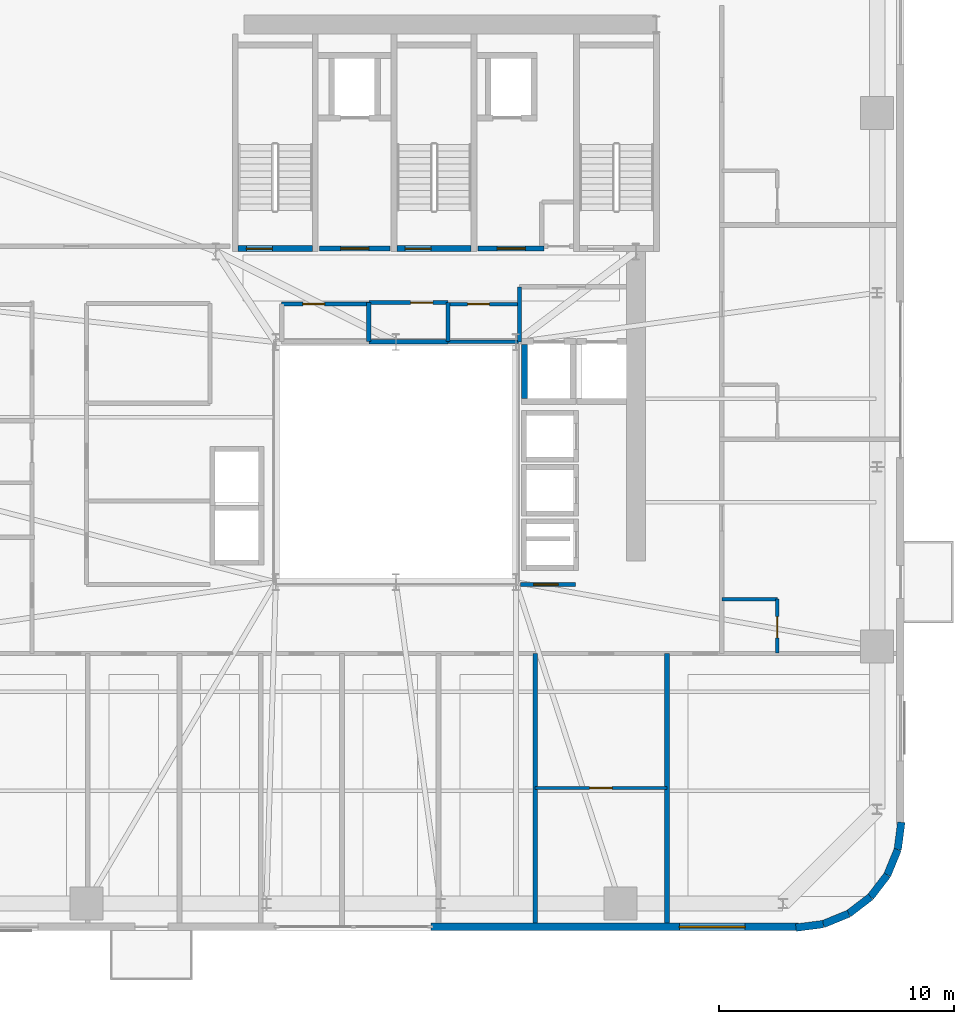
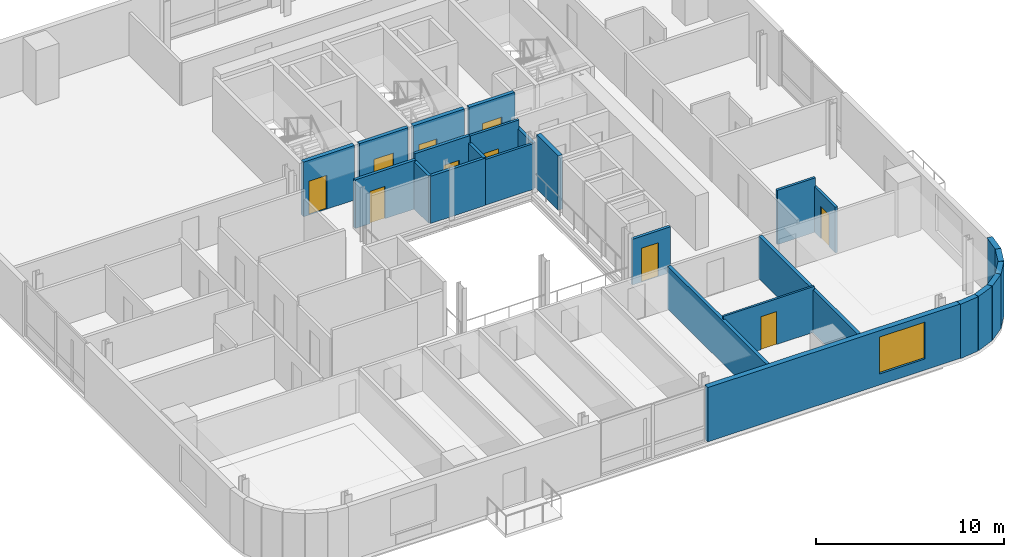
# One storey, part 9 of 17: 26 walls, 10 doors, 1 window, 11 openings.
"""IFC4 building model written with IfcOpenShell, lengths in metres."""

import ifcopenshell
import ifcopenshell.guid

model = None  # the IFC model being written
_history = None  # IfcOwnerHistory: only IFC2X3 demands one
_inside = {}  # id of a spatial element -> (the spatial element, [elements in it])
_under = {}  # id of a project, library or spatial element -> (it, [spatial elements below it])
_declared = {}  # id of a project -> (the project, [libraries it declares])
_typed = {}  # id of a type object -> (the type object, [elements of that type])
_made_of = {}  # id of a material, layer set ... -> (it, [elements and type objects made of it])


def new_model(schema):
    """Start an empty IFC model of exactly this schema.

    Asked for "IFC4X3", IfcOpenShell would pick the latest addendum, in which some entities
    have other attributes; the version numbers below select the first issue.
    IFC2X3 requires an IfcOwnerHistory on every rooted entity: one is made here for all.
    """
    global model, _history
    if schema == "IFC4X3":
        model = ifcopenshell.file(schema_version=(4, 3, 0, 0))
    else:
        model = ifcopenshell.file(schema=schema)
    _inside.clear()
    _under.clear()
    _declared.clear()
    _typed.clear()
    _made_of.clear()
    _history = None
    if model.schema == "IFC2X3":
        org = make("IfcOrganization", Name="unknown")
        user = make(
            "IfcPersonAndOrganization",
            ThePerson=make("IfcPerson", FamilyName="unknown"),
            TheOrganization=org,
        )
        app = make(
            "IfcApplication",
            ApplicationDeveloper=org,
            Version="unknown",
            ApplicationFullName="unknown",
            ApplicationIdentifier="unknown",
        )
        _history = make(
            "IfcOwnerHistory",
            OwningUser=user,
            OwningApplication=app,
            ChangeAction="ADDED",
            CreationDate=0,
        )
    return model


def make(cls, **values):
    """One entity of the class cls with the attributes given. An attribute that is None is left unset."""
    return model.create_entity(
        cls, **{name: value for name, value in values.items() if value is not None}
    )


def rooted(cls, **values):
    """An entity with a GlobalId (a new one), such as an element, a storey or a relation."""
    return make(cls, GlobalId=ifcopenshell.guid.new(), OwnerHistory=_history, **values)


def si_unit(unit_type, name, prefix=None):
    """IfcSIUnit, for example si_unit("LENGTHUNIT", "METRE", prefix="MILLI")."""
    return make("IfcSIUnit", UnitType=unit_type, Prefix=prefix, Name=name)


def assignment(units):
    """IfcUnitAssignment: the units of a project."""
    return None if units is None else make("IfcUnitAssignment", Units=units)


def point(xyz):
    """IfcCartesianPoint."""
    return None if xyz is None else make("IfcCartesianPoint", Coordinates=xyz)


def direction(xyz):
    """IfcDirection."""
    return None if xyz is None else make("IfcDirection", DirectionRatios=xyz)


def frame(location, z_axis=None, x_axis=None):
    """IfcAxis2Placement3D, a coordinate frame: its origin and axes. An axis left out is left unset."""
    return make(
        "IfcAxis2Placement3D",
        Location=point(location),
        Axis=direction(z_axis),
        RefDirection=direction(x_axis),
    )


def frame_2d(location, x_axis=None):
    """IfcAxis2Placement2D, a coordinate frame in the plane: its origin and x axis."""
    return make(
        "IfcAxis2Placement2D", Location=point(location), RefDirection=direction(x_axis)
    )


def origin():
    """The frame at (0, 0, 0) with its axes left unset."""
    return frame((0.0, 0.0, 0.0))


def place(relative_to, where):
    """IfcLocalPlacement: puts the frame where relative to a parent placement (None: the world)."""
    return make(
        "IfcLocalPlacement", PlacementRelTo=relative_to, RelativePlacement=where
    )


def context(
    kind, dimensions, precision=None, world=None, true_north=None, identifier=None
):
    """IfcGeometricRepresentationContext, for example the 3D "Model" context."""
    return make(
        "IfcGeometricRepresentationContext",
        ContextIdentifier=identifier,
        ContextType=kind,
        CoordinateSpaceDimension=dimensions,
        Precision=precision,
        WorldCoordinateSystem=world,
        TrueNorth=true_north,
    )


def subcontext(parent, identifier, kind, view, scale=None):
    """IfcGeometricRepresentationSubContext, for example "Body" below "Model"."""
    return make(
        "IfcGeometricRepresentationSubContext",
        ContextIdentifier=identifier,
        ContextType=kind,
        ParentContext=parent,
        TargetScale=scale,
        TargetView=view,
    )


def project(units=None, contexts=None):
    """IfcProject with its units and contexts."""
    return rooted(
        "IfcProject",
        Name="project",
        RepresentationContexts=contexts,
        UnitsInContext=assignment(units),
    )


def spatial(cls, under=None, at=None, **own):
    """A site, building, storey or space (cls), placed at a placement, below another one or the project."""
    s = rooted(cls, ObjectPlacement=at, **own)
    if under is not None:
        _under.setdefault(under.id(), (under, []))[1].append(s)
    return s


def profile(cls, at=None, kind="AREA", **sizes):
    """A parametric profile (cls). Its sizes go by their IFC names, for example OverallWidth=200.0."""
    return make(cls, ProfileType=kind, Position=at, **sizes)


def rectangle(**sizes):
    """IfcRectangleProfileDef."""
    return profile("IfcRectangleProfileDef", **sizes)


def extrude(swept, where, along, depth):
    """IfcExtrudedAreaSolid: the profile swept, set in the frame where, extruded along a direction by depth."""
    return make(
        "IfcExtrudedAreaSolid",
        SweptArea=swept,
        Position=where,
        ExtrudedDirection=direction(along),
        Depth=depth,
    )


def shape(context_of_items, identifier, shape_type, items):
    """IfcShapeRepresentation: the items that make up one representation, for example the "Body"."""
    return make(
        "IfcShapeRepresentation",
        ContextOfItems=context_of_items,
        RepresentationIdentifier=identifier,
        RepresentationType=shape_type,
        Items=items,
    )


def source(mapping_origin, context_of_items, identifier, shape_type, items):
    """IfcRepresentationMap: a shape defined once, which mapped items show again and again."""
    return make(
        "IfcRepresentationMap",
        MappingOrigin=mapping_origin,
        MappedRepresentation=shape(context_of_items, identifier, shape_type, items),
    )


def transform(
    local_origin,
    x_axis=None,
    y_axis=None,
    z_axis=None,
    scale=None,
    scale2=None,
    scale3=None,
    uniform=True,
):
    """IfcCartesianTransformationOperator3D, or its non-uniform kind. x_axis, y_axis, z_axis: its Axis1, 2, 3."""
    if uniform:
        return make(
            "IfcCartesianTransformationOperator3D",
            Axis1=direction(x_axis),
            Axis2=direction(y_axis),
            LocalOrigin=point(local_origin),
            Scale=scale,
            Axis3=direction(z_axis),
        )
    return make(
        "IfcCartesianTransformationOperator3DnonUniform",
        Axis1=direction(x_axis),
        Axis2=direction(y_axis),
        LocalOrigin=point(local_origin),
        Scale=scale,
        Axis3=direction(z_axis),
        Scale2=scale2,
        Scale3=scale3,
    )


def mapped(mapping_source, mapping_target):
    """IfcMappedItem: shows the shape of a source again, moved by a transform."""
    return make(
        "IfcMappedItem", MappingSource=mapping_source, MappingTarget=mapping_target
    )


def material(Name=None, Category=None):
    """IfcMaterial."""
    return make("IfcMaterial", Name=Name, Category=Category)


def layer(
    of_material, thickness, ventilated=None, Name=None, Category=None, Priority=None
):
    """IfcMaterialLayer: one layer of a wall or slab, of a material (None: an air gap)."""
    return make(
        "IfcMaterialLayer",
        Material=of_material,
        LayerThickness=thickness,
        IsVentilated=ventilated,
        Name=Name,
        Category=Category,
        Priority=Priority,
    )


def layer_set(layers, Name=None):
    """IfcMaterialLayerSet."""
    return make("IfcMaterialLayerSet", MaterialLayers=layers, LayerSetName=Name)


def made_of(thing, what):
    """Note that an element or type object is made of a material, layer set ...; save() writes the relation."""
    if what is not None:
        _made_of.setdefault(what.id(), (what, []))[1].append(thing)
    return thing


def type_object(cls, material=None, **own):
    """A type object (cls), such as IfcWallType, which elements share."""
    return made_of(rooted(cls, **own), material)


def element(
    cls,
    number,
    at=None,
    inside=None,
    cuts=None,
    type_object=None,
    material=None,
    context=None,
    identifier="Body",
    shape_type=None,
    held_by="IfcProductDefinitionShape",
    body=None,
    shapes=None,
    **own,
):
    """One element of the class cls, such as IfcWall. Its Tag is "e" and its number.

    at: its placement. inside: the storey or other place that contains it. cuts: it is an
    opening in that element (IfcRelVoidsElement). A single representation is given by context,
    identifier, shape_type and body (its items); several are given by shapes. held_by: the class
    of the entity that holds the representations. save() writes the other relations.
    """
    e = rooted(cls, Tag="e%d" % number, ObjectPlacement=at, **own)
    if body is not None:
        shapes = [shape(context, identifier, shape_type, body)]
    if shapes is not None:
        e.Representation = make(held_by, Representations=shapes)
    if inside is not None:
        _inside.setdefault(inside.id(), (inside, []))[1].append(e)
    if cuts is not None:
        rooted(
            "IfcRelVoidsElement", RelatingBuildingElement=cuts, RelatedOpeningElement=e
        )
    if type_object is not None:
        _typed.setdefault(type_object.id(), (type_object, []))[1].append(e)
    return made_of(e, material)


def fill(opening, filler):
    """IfcRelFillsElement: the door or window that sits in an opening."""
    return rooted(
        "IfcRelFillsElement",
        RelatingOpeningElement=opening,
        RelatedBuildingElement=filler,
    )


def aggregate(whole, parts):
    """IfcRelAggregates: a whole, such as a stair, and the parts it consists of."""
    return rooted("IfcRelAggregates", RelatingObject=whole, RelatedObjects=parts)


def save(model, path):
    """Write the relations noted so far, then the file.

    IfcRelAggregates (storeys below a building ...), IfcRelContainedInSpatialStructure (elements
    in a storey), IfcRelDefinesByType, IfcRelAssociatesMaterial and IfcRelDeclares: one each for
    every whole, place, type object, material and project.
    """
    for whole, parts in _under.values():
        aggregate(whole, parts)
    for where, things in _inside.values():
        rooted(
            "IfcRelContainedInSpatialStructure",
            RelatedElements=things,
            RelatingStructure=where,
        )
    for kind, things in _typed.values():
        rooted("IfcRelDefinesByType", RelatedObjects=things, RelatingType=kind)
    for what, things in _made_of.values():
        rooted("IfcRelAssociatesMaterial", RelatedObjects=things, RelatingMaterial=what)
    for by, libraries in _declared.values():
        rooted("IfcRelDeclares", RelatingContext=by, RelatedDefinitions=libraries)
    model.write(path)


model = new_model("IFC4")

# Units and contexts
model_context = context("Model", 3, precision=1e-05, world=origin(), true_north=direction((0.0, 1.0)))
body_context = subcontext(model_context, "Body", "Model", "MODEL_VIEW")
ifc_project = project(units=[si_unit("LENGTHUNIT", "METRE"), si_unit("AREAUNIT", "SQUARE_METRE"), si_unit("VOLUMEUNIT", "CUBIC_METRE"), si_unit("PLANEANGLEUNIT", "RADIAN"), si_unit("MASSUNIT", "GRAM", prefix="KILO")], contexts=[model_context])

# Site, building, storey
site_placement = place(None, origin())
site = spatial("IfcSite", under=ifc_project, at=site_placement, CompositionType="ELEMENT")
building_placement = place(site_placement, origin())
building = spatial("IfcBuilding", under=site, at=building_placement, Name="Vardaveli Station Tower", CompositionType="ELEMENT")
storey_placement = place(building_placement, frame((0.0, 0.0, 218.550048828125)))
storey = spatial("IfcBuildingStorey", under=building, at=storey_placement, Name="L56", CompositionType="ELEMENT", Elevation=218.550048828125)

# Wall, opening, window
ifc_material_1 = material(Name="Precast concrete C45/55", Category="concrete")
ifc_layer_1 = layer(ifc_material_1, 0.320068359375, Name="Precast concrete C45/55")
ifc_layer_set_1 = layer_set([ifc_layer_1], Name="Precast concrete C45/55")
wall_type_1 = type_object("IfcWallType", Name="WAL-EXT-STONE-320", PredefinedType="SOLIDWALL", material=ifc_layer_set_1)
shared_shape_1 = source(origin(), body_context, "Body", "SweptSolid", [
    extrude(rectangle(XDim=15.599853515625, YDim=0.320068359375, at=frame_2d((7.7998046875, 0.0))), origin(), (0.0, 0.0, 1.0), 3.530029296875),
])
wall_1_placement = place(storey_placement, frame((37.800048828125, 1.9599609375, 0.0), z_axis=(0.0, 0.0, 1.0), x_axis=(1.0, 0.0, 0.0)))
wall_1 = element("IfcWall", 1, at=wall_1_placement, inside=storey, type_object=wall_type_1, Name="EW-L56-S2", PredefinedType="SOLIDWALL", context=body_context, shape_type="MappedRepresentation", body=[
    mapped(shared_shape_1, transform((0.0, 0.0, 0.0), scale=1.0)),
])
shared_shape_2 = source(origin(), body_context, "Body", "SweptSolid", [
    extrude(rectangle(XDim=2.800048828125, YDim=2.39990234375, at=frame_2d((1.39990234375, 1.199951171875))), frame((0.0, 0.169921875, 0.0), z_axis=(0.0, -1.0, 0.0), x_axis=(1.0, 0.0, 0.0)), (0.0, 0.0, 1.0), 0.340087890625),
])
opening_1_placement = place(wall_1_placement, frame((10.544921875, 0.0, 0.719970703125)))
opening_1 = element("IfcOpeningElement", 2, at=opening_1_placement, cuts=wall_1, Name="Opening W-04", PredefinedType="OPENING", context=body_context, shape_type="MappedRepresentation", body=[
    mapped(shared_shape_2, transform((0.0, 0.0, 0.0), scale=1.0)),
])
ifc_material_2 = material(Name="Low-E solar-control glass", Category="glass")
window_type = type_object("IfcWindowType", Name="WIN-SUITE-2800x2400", PartitioningType="SINGLE_PANEL", PredefinedType="WINDOW", material=ifc_material_2)
shared_shape_3 = source(origin(), body_context, "Body", "SweptSolid", [
    extrude(rectangle(XDim=2.800048828125, YDim=2.39990234375, at=frame_2d((1.39990234375, 1.199951171875))), frame((0.0, 0.030029296875, 0.0), z_axis=(0.0, -1.0, 0.0), x_axis=(1.0, 0.0, 0.0)), (0.0, 0.0, 1.0), 0.06005859375),
])
window_placement = place(opening_1_placement, origin())
window = element("IfcWindow", 3, at=window_placement, inside=storey, type_object=window_type, Name="WN-L56-S2", OverallHeight=2.39990234375, OverallWidth=2.800048828125, PartitioningType="SINGLE_PANEL", PredefinedType="WINDOW", context=body_context, shape_type="MappedRepresentation", body=[
    mapped(shared_shape_3, transform((0.0, 0.0, 0.0), scale=1.0)),
])
fill(opening_1, window)

# Walls
shared_shape_4 = source(origin(), body_context, "Body", "SweptSolid", [
    extrude(rectangle(XDim=1.170654296875, YDim=0.320068359375, at=frame_2d((0.58544921875, 0.0))), origin(), (0.0, 0.0, 1.0), 3.530029296875),
])
wall_2_placement = place(storey_placement, frame((57.62548828125, 5.23974609375, 0.0), z_axis=(0.0, 0.0, 1.0), x_axis=(0.128269133229, 0.991739395941, 0.0)))
element("IfcWall", 4, at=wall_2_placement, inside=storey, type_object=wall_type_1, Name="EW-L56-CR2-6", PredefinedType="SOLIDWALL", context=body_context, shape_type="MappedRepresentation", body=[
    mapped(shared_shape_4, transform((0.0, 0.0, 0.0), scale=1.0)),
])
shared_shape_5 = source(origin(), body_context, "Body", "SweptSolid", [
    extrude(rectangle(XDim=1.1689453125, YDim=0.320068359375, at=frame_2d((0.58447265625, 0.0))), origin(), (0.0, 0.0, 1.0), 3.530029296875),
])
for number, where, z_axis, x_axis, name in (
    (5, (56.46875, 3.231201171875, 0.0), (0.0, 0.0, 1.0), (0.608387696831, 0.793639975269, 0.0), "EW-L56-CR2-4"),
    (6, (57.179931640625, 4.158935546875, 0.0), (0.0, 0.0, 1.0), (0.381127904695, 0.924522320046, 0.0), "EW-L56-CR2-5"),
):
    element("IfcWall", number, at=place(storey_placement, frame(where, z_axis=z_axis, x_axis=x_axis)), inside=storey, type_object=wall_type_1, Name=name, PredefinedType="SOLIDWALL", context=body_context, shape_type="MappedRepresentation", body=[
        mapped(shared_shape_5, transform((0.0, 0.0, 0.0), scale=1.0)),
    ])
shared_shape_6 = source(origin(), body_context, "Body", "SweptSolid", [
    extrude(rectangle(XDim=1.168701171875, YDim=0.320068359375, at=frame_2d((0.58447265625, 0.0))), origin(), (0.0, 0.0, 1.0), 3.530029296875),
])
wall_3_placement = place(storey_placement, frame((55.541259765625, 2.520263671875, 0.0), z_axis=(0.0, 0.0, 1.0), x_axis=(0.793663520347, 0.608356981114, 0.0)))
element("IfcWall", 7, at=wall_3_placement, inside=storey, type_object=wall_type_1, Name="EW-L56-CR2-3", PredefinedType="SOLIDWALL", context=body_context, shape_type="MappedRepresentation", body=[
    mapped(shared_shape_6, transform((0.0, 0.0, 0.0), scale=1.0)),
])
shared_shape_7 = source(origin(), body_context, "Body", "SweptSolid", [
    extrude(rectangle(XDim=1.16943359375, YDim=0.320068359375, at=frame_2d((0.584716796875, 0.0))), origin(), (0.0, 0.0, 1.0), 3.530029296875),
])
wall_4_placement = place(storey_placement, frame((54.460205078125, 2.074462890625, 0.0), z_axis=(0.0, 0.0, 1.0), x_axis=(0.924479075121, 0.381232789334, 0.0)))
element("IfcWall", 8, at=wall_4_placement, inside=storey, type_object=wall_type_1, Name="EW-L56-CR2-2", PredefinedType="SOLIDWALL", context=body_context, shape_type="MappedRepresentation", body=[
    mapped(shared_shape_7, transform((0.0, 0.0, 0.0), scale=1.0)),
])
shared_shape_8 = source(origin(), body_context, "Body", "SweptSolid", [
    extrude(rectangle(XDim=1.170166015625, YDim=0.320068359375, at=frame_2d((0.5849609375, 0.0))), origin(), (0.0, 0.0, 1.0), 3.530029296875),
])
wall_5_placement = place(storey_placement, frame((53.299560546875, 1.924560546875, 0.0), z_axis=(0.0, 0.0, 1.0), x_axis=(0.991762485493, 0.128090485085, 0.0)))
element("IfcWall", 9, at=wall_5_placement, inside=storey, type_object=wall_type_1, Name="EW-L56-CR2-1", PredefinedType="SOLIDWALL", context=body_context, shape_type="MappedRepresentation", body=[
    mapped(shared_shape_8, transform((0.0, 0.0, 0.0), scale=1.0)),
])

# Wall, opening, door
ifc_material_3 = material(Name="Concrete C40/50", Category="concrete")
ifc_layer_2 = layer(ifc_material_3, 0.25, Name="Concrete C40/50")
ifc_layer_set_2 = layer_set([ifc_layer_2], Name="Concrete C40/50")
wall_type_2 = type_object("IfcWallType", Name="WAL-SHAFT-250", PredefinedType="SOLIDWALL", material=ifc_layer_set_2)
shared_shape_9 = source(origin(), body_context, "Body", "SweptSolid", [
    extrude(rectangle(XDim=3.14990234375, YDim=0.25, at=frame_2d((1.574951171875, 0.0))), origin(), (0.0, 0.0, 1.0), 3.550048828125),
])
wall_6_placement = place(storey_placement, frame((29.60009765625, 30.77490234375, 0.0), z_axis=(0.0, 0.0, 1.0), x_axis=(1.0, 0.0, 0.0)))
wall_6 = element("IfcWall", 10, at=wall_6_placement, inside=storey, type_object=wall_type_2, Name="W-L56-ST-1S", PredefinedType="SOLIDWALL", context=body_context, shape_type="MappedRepresentation", body=[
    mapped(shared_shape_9, transform((0.0, 0.0, 0.0), scale=1.0)),
])
shared_shape_10 = source(origin(), body_context, "Body", "SweptSolid", [
    extrude(rectangle(XDim=1.10009765625, YDim=2.199951171875, at=frame_2d((0.550048828125, 1.10009765625))), frame((0.0, 0.135009765625, 0.0), z_axis=(0.0, -1.0, 0.0), x_axis=(1.0, 0.0, 0.0)), (0.0, 0.0, 1.0), 0.27001953125),
])
opening_2_placement = place(wall_6_placement, frame((0.35009765625, 0.0, 0.0)))
opening_2 = element("IfcOpeningElement", 11, at=opening_2_placement, cuts=wall_6, Name="Opening D-04", PredefinedType="OPENING", context=body_context, shape_type="MappedRepresentation", body=[
    mapped(shared_shape_10, transform((0.0, 0.0, 0.0), scale=1.0)),
])
ifc_material_4 = material(Name="Steel smokeproof fire doorset", Category="steel")
door_type_1 = type_object("IfcDoorType", Name="DR-ST-1100x2200", OperationType="NOTDEFINED", PredefinedType="DOOR", material=ifc_material_4)
shared_shape_11 = source(origin(), body_context, "Body", "SweptSolid", [
    extrude(rectangle(XDim=1.10009765625, YDim=2.199951171875, at=frame_2d((0.550048828125, 1.10009765625))), frame((0.0, 0.02490234375, 0.0), z_axis=(0.0, -1.0, 0.0), x_axis=(1.0, 0.0, 0.0)), (0.0, 0.0, 1.0), 0.050048828125),
])
door_1_placement = place(opening_2_placement, origin())
door_1 = element("IfcDoor", 12, at=door_1_placement, inside=storey, type_object=door_type_1, Name="DST-1-L56", OperationType="SINGLE_SWING_LEFT", OverallHeight=2.199951171875, OverallWidth=1.10009765625, PredefinedType="DOOR", context=body_context, shape_type="MappedRepresentation", body=[
    mapped(shared_shape_11, transform((0.0, 0.0, 0.0), scale=1.0)),
])
fill(opening_2, door_1)

wall_7_placement = place(storey_placement, frame((36.35009765625, 30.77490234375, 0.0), z_axis=(0.0, 0.0, 1.0), x_axis=(1.0, 0.0, 0.0)))
wall_7 = element("IfcWall", 13, at=wall_7_placement, inside=storey, type_object=wall_type_2, Name="W-L56-ST-2S", PredefinedType="SOLIDWALL", context=body_context, shape_type="MappedRepresentation", body=[
    mapped(shared_shape_9, transform((0.0, 0.0, 0.0), scale=1.0)),
])
opening_3_placement = place(wall_7_placement, frame((0.35009765625, 0.0, 0.0)))
opening_3 = element("IfcOpeningElement", 14, at=opening_3_placement, cuts=wall_7, Name="Opening D-04", PredefinedType="OPENING", context=body_context, shape_type="MappedRepresentation", body=[
    mapped(shared_shape_10, transform((0.0, 0.0, 0.0), scale=1.0)),
])
door_2_placement = place(opening_3_placement, origin())
door_2 = element("IfcDoor", 15, at=door_2_placement, inside=storey, type_object=door_type_1, Name="DST-2-L56", OperationType="SINGLE_SWING_LEFT", OverallHeight=2.199951171875, OverallWidth=1.10009765625, PredefinedType="DOOR", context=body_context, shape_type="MappedRepresentation", body=[
    mapped(shared_shape_11, transform((0.0, 0.0, 0.0), scale=1.0)),
])
fill(opening_3, door_2)

ifc_layer_3 = layer(ifc_material_3, 0.219970703125, Name="Concrete C40/50")
ifc_layer_set_3 = layer_set([ifc_layer_3], Name="Concrete C40/50")
wall_type_3 = type_object("IfcWallType", Name="WAL-FFLOBBY-220", PredefinedType="SOLIDWALL", material=ifc_layer_set_3)
shared_shape_12 = source(origin(), body_context, "Body", "SweptSolid", [
    extrude(rectangle(XDim=3.0, YDim=0.219970703125, at=frame_2d((1.5, 0.0))), origin(), (0.0, 0.0, 1.0), 3.530029296875),
])
wall_8_placement = place(storey_placement, frame((33.050048828125, 30.780029296875, 0.0), z_axis=(0.0, 0.0, 1.0), x_axis=(1.0, 0.0, 0.0)))
wall_8 = element("IfcWall", 16, at=wall_8_placement, inside=storey, type_object=wall_type_3, Name="W-L56-FFL1S", PredefinedType="SOLIDWALL", context=body_context, shape_type="MappedRepresentation", body=[
    mapped(shared_shape_12, transform((0.0, 0.0, 0.0), scale=1.0)),
])
shared_shape_13 = source(origin(), body_context, "Body", "SweptSolid", [
    extrude(rectangle(XDim=1.199951171875, YDim=2.199951171875, at=frame_2d((0.60009765625, 1.10009765625))), frame((0.0, 0.1201171875, 0.0), z_axis=(0.0, -1.0, 0.0), x_axis=(1.0, 0.0, 0.0)), (0.0, 0.0, 1.0), 0.239990234375),
])
opening_4_placement = place(wall_8_placement, frame((0.89990234375, 0.0, 0.0)))
opening_4 = element("IfcOpeningElement", 17, at=opening_4_placement, cuts=wall_8, Name="Opening D-03", PredefinedType="OPENING", context=body_context, shape_type="MappedRepresentation", body=[
    mapped(shared_shape_13, transform((0.0, 0.0, 0.0), scale=1.0)),
])
door_type_2 = type_object("IfcDoorType", Name="DR-FFL-1200x2200", OperationType="NOTDEFINED", PredefinedType="DOOR", material=ifc_material_4)
shared_shape_14 = source(origin(), body_context, "Body", "SweptSolid", [
    extrude(rectangle(XDim=1.199951171875, YDim=2.199951171875, at=frame_2d((0.60009765625, 1.10009765625))), frame((0.0, 0.02490234375, 0.0), z_axis=(0.0, -1.0, 0.0), x_axis=(1.0, 0.0, 0.0)), (0.0, 0.0, 1.0), 0.050048828125),
])
door_3_placement = place(opening_4_placement, origin())
door_3 = element("IfcDoor", 18, at=door_3_placement, inside=storey, type_object=door_type_2, Name="DFFL1-L56", OperationType="SINGLE_SWING_LEFT", OverallHeight=2.199951171875, OverallWidth=1.199951171875, PredefinedType="DOOR", context=body_context, shape_type="MappedRepresentation", body=[
    mapped(shared_shape_14, transform((0.0, 0.0, 0.0), scale=1.0)),
])
fill(opening_4, door_3)

shared_shape_15 = source(origin(), body_context, "Body", "SweptSolid", [
    extrude(rectangle(XDim=2.800048828125, YDim=0.219970703125, at=frame_2d((1.39990234375, 0.0))), origin(), (0.0, 0.0, 1.0), 3.530029296875),
])
wall_9_placement = place(storey_placement, frame((39.800048828125, 30.780029296875, 0.0), z_axis=(0.0, 0.0, 1.0), x_axis=(1.0, 0.0, 0.0)))
wall_9 = element("IfcWall", 19, at=wall_9_placement, inside=storey, type_object=wall_type_3, Name="W-L56-FFL2S", PredefinedType="SOLIDWALL", context=body_context, shape_type="MappedRepresentation", body=[
    mapped(shared_shape_15, transform((0.0, 0.0, 0.0), scale=1.0)),
])
opening_5_placement = place(wall_9_placement, frame((0.800048828125, 0.0, 0.0)))
opening_5 = element("IfcOpeningElement", 20, at=opening_5_placement, cuts=wall_9, Name="Opening D-03", PredefinedType="OPENING", context=body_context, shape_type="MappedRepresentation", body=[
    mapped(shared_shape_13, transform((0.0, 0.0, 0.0), scale=1.0)),
])
door_4_placement = place(opening_5_placement, origin())
door_4 = element("IfcDoor", 21, at=door_4_placement, inside=storey, type_object=door_type_2, Name="DFFL2-L56", OperationType="SINGLE_SWING_RIGHT", OverallHeight=2.199951171875, OverallWidth=1.199951171875, PredefinedType="DOOR", context=body_context, shape_type="MappedRepresentation", body=[
    mapped(shared_shape_14, transform((0.0, 0.0, 0.0), scale=1.0)),
])
fill(opening_5, door_4)

# Wall
shared_shape_16 = source(origin(), body_context, "Body", "SweptSolid", [
    extrude(rectangle(XDim=2.300048828125, YDim=0.25, at=frame_2d((1.14990234375, 0.0))), origin(), (0.0, 0.0, 1.0), 3.530029296875),
])
wall_10_placement = place(storey_placement, frame((41.77490234375, 24.39990234375, 0.0), z_axis=(0.0, 0.0, 1.0), x_axis=(0.0, 1.0, 0.0)))
element("IfcWall", 22, at=wall_10_placement, inside=storey, type_object=wall_type_2, Name="SHW-SRV-01-L56-W", PredefinedType="SOLIDWALL", context=body_context, shape_type="MappedRepresentation", body=[
    mapped(shared_shape_16, transform((0.0, 0.0, 0.0), scale=1.0)),
])

# Wall, opening, door
ifc_material_5 = material(Name="Fire-rated gypsum stud partition")
ifc_layer_4 = layer(ifc_material_5, 0.179931640625, Name="Fire-rated gypsum stud partition")
ifc_layer_set_4 = layer_set([ifc_layer_4], Name="Fire-rated gypsum stud partition")
wall_type_4 = type_object("IfcWallType", Name="WAL-CORR-180", PredefinedType="PARTITIONING", material=ifc_layer_set_4)
shared_shape_17 = source(origin(), body_context, "Body", "SweptSolid", [
    extrude(rectangle(XDim=3.699951171875, YDim=0.179931640625, at=frame_2d((1.85009765625, 0.0))), origin(), (0.0, 0.0, 1.0), 3.161865234375),
])
wall_11_placement = place(storey_placement, frame((31.449951171875, 28.419921875, 0.0), z_axis=(0.0, 0.0, 1.0), x_axis=(1.0, 0.0, 0.0)))
wall_11 = element("IfcWall", 23, at=wall_11_placement, inside=storey, type_object=wall_type_4, Name="W-L56-CS2A-N", PredefinedType="PARTITIONING", context=body_context, shape_type="MappedRepresentation", body=[
    mapped(shared_shape_17, transform((0.0, 0.0, 0.0), scale=1.0)),
])
shared_shape_18 = source(origin(), body_context, "Body", "SweptSolid", [
    extrude(rectangle(XDim=0.919921875, YDim=2.10009765625, at=frame_2d((0.4599609375, 1.050048828125))), frame((0.0, 0.10009765625, 0.0), z_axis=(0.0, -1.0, 0.0), x_axis=(1.0, 0.0, 0.0)), (0.0, 0.0, 1.0), 0.199951171875),
])
opening_6_placement = place(wall_11_placement, frame((0.89990234375, 0.0, 0.0)))
opening_6 = element("IfcOpeningElement", 24, at=opening_6_placement, cuts=wall_11, Name="Opening D-07", PredefinedType="OPENING", context=body_context, shape_type="MappedRepresentation", body=[
    mapped(shared_shape_18, transform((0.0, 0.0, 0.0), scale=1.0)),
])
ifc_material_6 = material(Name="Moisture-resistant hardwood door", Category="wood")
door_type_3 = type_object("IfcDoorType", Name="DR-WC-920x2100", OperationType="NOTDEFINED", PredefinedType="DOOR", material=ifc_material_6)
shared_shape_19 = source(origin(), body_context, "Body", "SweptSolid", [
    extrude(rectangle(XDim=0.919921875, YDim=2.10009765625, at=frame_2d((0.4599609375, 1.050048828125))), frame((0.0, 0.02490234375, 0.0), z_axis=(0.0, -1.0, 0.0), x_axis=(1.0, 0.0, 0.0)), (0.0, 0.0, 1.0), 0.050048828125),
])
door_5_placement = place(opening_6_placement, origin())
door_5 = element("IfcDoor", 25, at=door_5_placement, inside=storey, type_object=door_type_3, Name="D-L56-CS2A", OperationType="SINGLE_SWING_LEFT", OverallHeight=2.10009765625, OverallWidth=0.919921875, PredefinedType="DOOR", context=body_context, shape_type="MappedRepresentation", body=[
    mapped(shared_shape_19, transform((0.0, 0.0, 0.0), scale=1.0)),
])
fill(opening_6, door_5)

shared_shape_20 = source(origin(), body_context, "Body", "SweptSolid", [
    extrude(rectangle(XDim=3.3701171875, YDim=0.179931640625, at=frame_2d((1.68505859375, 0.0))), origin(), (0.0, 0.0, 1.0), 3.530029296875),
])
wall_12_placement = place(storey_placement, frame((35.14990234375, 28.47998046875, 0.0), z_axis=(0.0, 0.0, 1.0), x_axis=(1.0, 0.0, 0.0)))
wall_12 = element("IfcWall", 26, at=wall_12_placement, inside=storey, type_object=wall_type_4, Name="W-L56-HKP2-N", PredefinedType="PARTITIONING", context=body_context, shape_type="MappedRepresentation", body=[
    mapped(shared_shape_20, transform((0.0, 0.0, 0.0), scale=1.0)),
])
shared_shape_21 = source(origin(), body_context, "Body", "SweptSolid", [
    extrude(rectangle(XDim=0.949951171875, YDim=2.14990234375, at=frame_2d((0.47509765625, 1.074951171875))), frame((0.0, 0.10009765625, 0.0), z_axis=(0.0, -1.0, 0.0), x_axis=(1.0, 0.0, 0.0)), (0.0, 0.0, 1.0), 0.199951171875),
])
opening_7_placement = place(wall_12_placement, frame((1.77490234375, 0.0, 0.0)))
opening_7 = element("IfcOpeningElement", 27, at=opening_7_placement, cuts=wall_12, Name="Opening D-06", PredefinedType="OPENING", context=body_context, shape_type="MappedRepresentation", body=[
    mapped(shared_shape_21, transform((0.0, 0.0, 0.0), scale=1.0)),
])
ifc_material_7 = material(Name="Oak veneer acoustic fire door")
door_type_4 = type_object("IfcDoorType", Name="DR-GUEST-950x2150", OperationType="NOTDEFINED", PredefinedType="DOOR", material=ifc_material_7)
shared_shape_22 = source(origin(), body_context, "Body", "SweptSolid", [
    extrude(rectangle(XDim=0.949951171875, YDim=2.14990234375, at=frame_2d((0.47509765625, 1.074951171875))), frame((0.0, 0.02490234375, 0.0), z_axis=(0.0, -1.0, 0.0), x_axis=(1.0, 0.0, 0.0)), (0.0, 0.0, 1.0), 0.050048828125),
])
door_6_placement = place(opening_7_placement, origin())
door_6 = element("IfcDoor", 28, at=door_6_placement, inside=storey, type_object=door_type_4, Name="D-L56-HKP", OperationType="SINGLE_SWING_LEFT", OverallHeight=2.14990234375, OverallWidth=0.949951171875, PredefinedType="DOOR", context=body_context, shape_type="MappedRepresentation", body=[
    mapped(shared_shape_22, transform((0.0, 0.0, 0.0), scale=1.0)),
])
fill(opening_7, door_6)

ifc_material_8 = material(Name="Moisture-resistant stud partition")
ifc_layer_5 = layer(ifc_material_8, 0.14990234375, Name="Moisture-resistant stud partition")
ifc_layer_set_5 = layer_set([ifc_layer_5], Name="Moisture-resistant stud partition")
wall_type_5 = type_object("IfcWallType", Name="WAL-WET-150", PredefinedType="PARTITIONING", material=ifc_layer_set_5)
shared_shape_23 = source(origin(), body_context, "Body", "SweptSolid", [
    extrude(rectangle(XDim=3.0, YDim=0.14990234375, at=frame_2d((1.5, 0.0))), origin(), (0.0, 0.0, 1.0), 3.530029296875),
])
wall_13_placement = place(storey_placement, frame((38.52001953125, 28.419921875, 0.0), z_axis=(0.0, 0.0, 1.0), x_axis=(1.0, 0.0, 0.0)))
wall_13 = element("IfcWall", 29, at=wall_13_placement, inside=storey, type_object=wall_type_5, Name="W-L56-WCA2-N", PredefinedType="PARTITIONING", context=body_context, shape_type="MappedRepresentation", body=[
    mapped(shared_shape_23, transform((0.0, 0.0, 0.0), scale=1.0)),
])
shared_shape_24 = source(origin(), body_context, "Body", "SweptSolid", [
    extrude(rectangle(XDim=0.919921875, YDim=2.10009765625, at=frame_2d((0.4599609375, 1.050048828125))), frame((0.0, 0.0849609375, 0.0), z_axis=(0.0, -1.0, 0.0), x_axis=(1.0, 0.0, 0.0)), (0.0, 0.0, 1.0), 0.169921875),
])
opening_8_placement = place(wall_13_placement, frame((0.830078125, 0.0, 0.0)))
opening_8 = element("IfcOpeningElement", 30, at=opening_8_placement, cuts=wall_13, Name="Opening D-07", PredefinedType="OPENING", context=body_context, shape_type="MappedRepresentation", body=[
    mapped(shared_shape_24, transform((0.0, 0.0, 0.0), scale=1.0)),
])
door_7_placement = place(opening_8_placement, origin())
door_7 = element("IfcDoor", 31, at=door_7_placement, inside=storey, type_object=door_type_3, Name="D-L56-WCA", OperationType="SINGLE_SWING_LEFT", OverallHeight=2.10009765625, OverallWidth=0.919921875, PredefinedType="DOOR", context=body_context, shape_type="MappedRepresentation", body=[
    mapped(shared_shape_19, transform((0.0, 0.0, 0.0), scale=1.0)),
])
fill(opening_8, door_7)

shared_shape_25 = source(origin(), body_context, "Body", "SweptSolid", [
    extrude(rectangle(XDim=2.329833984375, YDim=0.179931640625, at=frame_2d((1.1650390625, 0.0))), origin(), (0.0, 0.0, 1.0), 2.971923828125),
])
wall_14_placement = place(storey_placement, frame((41.60009765625, 16.5, 0.0), z_axis=(0.0, 0.0, 1.0), x_axis=(1.0, 0.0, 0.0)))
wall_14 = element("IfcWall", 32, at=wall_14_placement, inside=storey, type_object=wall_type_4, Name="W-L56-ATE-S", PredefinedType="PARTITIONING", context=body_context, shape_type="MappedRepresentation", body=[
    mapped(shared_shape_25, transform((0.0, 0.0, 0.0), scale=1.0)),
])
shared_shape_26 = source(origin(), body_context, "Body", "SweptSolid", [
    extrude(rectangle(XDim=1.050048828125, YDim=2.199951171875, at=frame_2d((0.52490234375, 1.10009765625))), frame((0.0, 0.10009765625, 0.0), z_axis=(0.0, -1.0, 0.0), x_axis=(1.0, 0.0, 0.0)), (0.0, 0.0, 1.0), 0.199951171875),
])
opening_9_placement = place(wall_14_placement, frame((0.550048828125, 0.0, 0.0)))
opening_9 = element("IfcOpeningElement", 33, at=opening_9_placement, cuts=wall_14, Name="Opening D-05", PredefinedType="OPENING", context=body_context, shape_type="MappedRepresentation", body=[
    mapped(shared_shape_26, transform((0.0, 0.0, 0.0), scale=1.0)),
])
ifc_material_9 = material(Name="Walnut veneer acoustic fire door")
door_type_5 = type_object("IfcDoorType", Name="DR-SUITE-1050x2200", OperationType="NOTDEFINED", PredefinedType="DOOR", material=ifc_material_9)
shared_shape_27 = source(origin(), body_context, "Body", "SweptSolid", [
    extrude(rectangle(XDim=1.050048828125, YDim=2.199951171875, at=frame_2d((0.52490234375, 1.10009765625))), frame((0.0, 0.02490234375, 0.0), z_axis=(0.0, -1.0, 0.0), x_axis=(1.0, 0.0, 0.0)), (0.0, 0.0, 1.0), 0.050048828125),
])
door_8_placement = place(opening_9_placement, origin())
door_8 = element("IfcDoor", 34, at=door_8_placement, inside=storey, type_object=door_type_5, Name="D-L56-ATE1", OperationType="SINGLE_SWING_RIGHT", OverallHeight=2.199951171875, OverallWidth=1.050048828125, PredefinedType="DOOR", context=body_context, shape_type="MappedRepresentation", body=[
    mapped(shared_shape_27, transform((0.0, 0.0, 0.0), scale=1.0)),
])
fill(opening_9, door_8)

shared_shape_28 = source(origin(), body_context, "Body", "SweptSolid", [
    extrude(rectangle(XDim=2.289794921875, YDim=0.14990234375, at=frame_2d((1.14501953125, 0.0))), origin(), (0.0, 0.0, 1.0), 2.971923828125),
])
wall_15_placement = place(storey_placement, frame((52.510009765625, 13.590087890625, 0.0), z_axis=(0.0, 0.0, 1.0), x_axis=(0.0, 1.0, 0.0)))
wall_15 = element("IfcWall", 35, at=wall_15_placement, inside=storey, type_object=wall_type_5, Name="W-L56-BE1-E", PredefinedType="PARTITIONING", context=body_context, shape_type="MappedRepresentation", body=[
    mapped(shared_shape_28, transform((0.0, 0.0, 0.0), scale=1.0)),
])
shared_shape_29 = source(origin(), body_context, "Body", "SweptSolid", [
    extrude(rectangle(XDim=0.89990234375, YDim=2.10009765625, at=frame_2d((0.449951171875, 1.050048828125))), frame((0.0, 0.0849609375, 0.0), z_axis=(0.0, -1.0, 0.0), x_axis=(1.0, 0.0, 0.0)), (0.0, 0.0, 1.0), 0.169921875),
])
opening_10_placement = place(wall_15_placement, frame((0.64990234375, 0.0, 0.0)))
opening_10 = element("IfcOpeningElement", 36, at=opening_10_placement, cuts=wall_15, Name="Opening D-08", PredefinedType="OPENING", context=body_context, shape_type="MappedRepresentation", body=[
    mapped(shared_shape_29, transform((0.0, 0.0, 0.0), scale=1.0)),
])
ifc_material_10 = material(Name="Moisture-resistant oak door")
door_type_6 = type_object("IfcDoorType", Name="DR-BATH-900x2100", OperationType="NOTDEFINED", PredefinedType="DOOR", material=ifc_material_10)
shared_shape_30 = source(origin(), body_context, "Body", "SweptSolid", [
    extrude(rectangle(XDim=0.89990234375, YDim=2.10009765625, at=frame_2d((0.449951171875, 1.050048828125))), frame((0.0, 0.02490234375, 0.0), z_axis=(0.0, -1.0, 0.0), x_axis=(1.0, 0.0, 0.0)), (0.0, 0.0, 1.0), 0.050048828125),
])
door_9_placement = place(opening_10_placement, origin())
door_9 = element("IfcDoor", 37, at=door_9_placement, inside=storey, type_object=door_type_6, Name="D-L56-BE1", OperationType="SINGLE_SWING_RIGHT", OverallHeight=2.10009765625, OverallWidth=0.89990234375, PredefinedType="DOOR", context=body_context, shape_type="MappedRepresentation", body=[
    mapped(shared_shape_30, transform((0.0, 0.0, 0.0), scale=1.0)),
])
fill(opening_10, door_9)

# Walls
shared_shape_31 = source(origin(), body_context, "Body", "SweptSolid", [
    extrude(rectangle(XDim=3.3701171875, YDim=0.179931640625, at=frame_2d((1.68505859375, 0.0))), origin(), (0.0, 0.0, 1.0), 3.072021484375),
])
wall_16_placement = place(storey_placement, frame((35.14990234375, 26.820068359375, 0.0), z_axis=(0.0, 0.0, 1.0), x_axis=(1.0, 0.0, 0.0)))
element("IfcWall", 38, at=wall_16_placement, inside=storey, type_object=wall_type_4, Name="W-L56-HKP2-S", PredefinedType="PARTITIONING", context=body_context, shape_type="MappedRepresentation", body=[
    mapped(shared_shape_31, transform((0.0, 0.0, 0.0), scale=1.0)),
])
shared_shape_32 = source(origin(), body_context, "Body", "SweptSolid", [
    extrude(rectangle(XDim=3.0, YDim=0.14990234375, at=frame_2d((1.5, 0.0))), origin(), (0.0, 0.0, 1.0), 2.971923828125),
])
wall_17_placement = place(storey_placement, frame((38.52001953125, 26.820068359375, 0.0), z_axis=(0.0, 0.0, 1.0), x_axis=(1.0, 0.0, 0.0)))
element("IfcWall", 39, at=wall_17_placement, inside=storey, type_object=wall_type_5, Name="W-L56-WCA2-S", PredefinedType="PARTITIONING", context=body_context, shape_type="MappedRepresentation", body=[
    mapped(shared_shape_32, transform((0.0, 0.0, 0.0), scale=1.0)),
])
shared_shape_33 = source(origin(), body_context, "Body", "SweptSolid", [
    extrude(rectangle(XDim=2.360107421875, YDim=0.14990234375, at=frame_2d((1.18017578125, 0.0))), origin(), (0.0, 0.0, 1.0), 3.530029296875),
])
wall_18_placement = place(storey_placement, frame((50.14990234375, 15.8798828125, 0.0), z_axis=(0.0, 0.0, 1.0), x_axis=(1.0, 0.0, 0.0)))
element("IfcWall", 40, at=wall_18_placement, inside=storey, type_object=wall_type_5, Name="W-L56-BE1-N", PredefinedType="PARTITIONING", context=body_context, shape_type="MappedRepresentation", body=[
    mapped(shared_shape_33, transform((0.0, 0.0, 0.0), scale=1.0)),
])
shared_shape_34 = source(origin(), body_context, "Body", "SweptSolid", [
    extrude(rectangle(XDim=2.349853515625, YDim=0.179931640625, at=frame_2d((1.1748046875, 0.0))), origin(), (0.0, 0.0, 1.0), 2.971923828125),
])
wall_19_placement = place(storey_placement, frame((41.550048828125, 26.800048828125, 0.0), z_axis=(0.0, 0.0, 1.0), x_axis=(0.0, 1.0, 0.0)))
element("IfcWall", 41, at=wall_19_placement, inside=storey, type_object=wall_type_4, Name="W-L56-SVFW", PredefinedType="PARTITIONING", context=body_context, shape_type="MappedRepresentation", body=[
    mapped(shared_shape_34, transform((0.0, 0.0, 0.0), scale=1.0)),
])
shared_shape_35 = source(origin(), body_context, "Body", "SweptSolid", [
    extrude(rectangle(XDim=1.659912109375, YDim=0.179931640625, at=frame_2d((0.830078125, 0.0))), origin(), (0.0, 0.0, 1.0), 3.072021484375),
])
for number, where, z_axis, x_axis, name in (
    (42, (35.14990234375, 26.820068359375, 0.0), (0.0, 0.0, 1.0), (0.0, 1.0, 0.0), "W-L56-HKP2-W"),
    (43, (38.52001953125, 26.820068359375, 0.0), (0.0, 0.0, 1.0), (0.0, 1.0, 0.0), "W-L56-HKP2-E"),
):
    element("IfcWall", number, at=place(storey_placement, frame(where, z_axis=z_axis, x_axis=x_axis)), inside=storey, type_object=wall_type_4, Name=name, PredefinedType="PARTITIONING", context=body_context, shape_type="MappedRepresentation", body=[
        mapped(shared_shape_35, transform((0.0, 0.0, 0.0), scale=1.0)),
    ])
ifc_material_11 = material(Name="Acoustic twin-stud gypsum partition")
ifc_layer_6 = layer(ifc_material_11, 0.199951171875, Name="Acoustic twin-stud gypsum partition")
ifc_layer_set_6 = layer_set([ifc_layer_6], Name="Acoustic twin-stud gypsum partition")
wall_type_6 = type_object("IfcWallType", Name="WAL-PARTY-200", PredefinedType="PARTITIONING", material=ifc_layer_set_6)
shared_shape_36 = source(origin(), body_context, "Body", "SweptSolid", [
    extrude(rectangle(XDim=11.447998046875, YDim=0.199951171875, at=frame_2d((5.72412109375, 0.0))), origin(), (0.0, 0.0, 1.0), 2.77197265625),
])
for number, where, z_axis, x_axis, name in (
    (44, (42.218017578125, 2.1220703125, 0.0), (0.0, 0.0, 1.0), (0.0, 1.0, 0.0), "W-L56-PS6"),
    (45, (47.820068359375, 2.1220703125, 0.0), (0.0, 0.0, 1.0), (0.0, 1.0, 0.0), "W-L56-PS7"),
):
    element("IfcWall", number, at=place(storey_placement, frame(where, z_axis=z_axis, x_axis=x_axis)), inside=storey, type_object=wall_type_6, Name=name, PredefinedType="PARTITIONING", context=body_context, shape_type="MappedRepresentation", body=[
        mapped(shared_shape_36, transform((0.0, 0.0, 0.0), scale=1.0)),
    ])

# Wall, opening, door
ifc_material_12 = material(Name="Gypsum board stud partition")
ifc_layer_7 = layer(ifc_material_12, 0.125, Name="Gypsum board stud partition")
ifc_layer_set_7 = layer_set([ifc_layer_7], Name="Gypsum board stud partition")
wall_type_7 = type_object("IfcWallType", Name="WAL-INT-125", PredefinedType="PARTITIONING", material=ifc_layer_set_7)
shared_shape_37 = source(origin(), body_context, "Body", "SweptSolid", [
    extrude(rectangle(XDim=5.60205078125, YDim=0.125, at=frame_2d((2.801025390625, 0.0))), origin(), (0.0, 0.0, 1.0), 2.971923828125),
])
wall_20_placement = place(storey_placement, frame((42.218017578125, 7.860107421875, 0.0), z_axis=(0.0, 0.0, 1.0), x_axis=(1.0, 0.0, 0.0)))
wall_20 = element("IfcWall", 46, at=wall_20_placement, inside=storey, type_object=wall_type_7, Name="W-L56-SCM7", PredefinedType="PARTITIONING", context=body_context, shape_type="MappedRepresentation", body=[
    mapped(shared_shape_37, transform((0.0, 0.0, 0.0), scale=1.0)),
])
shared_shape_38 = source(origin(), body_context, "Body", "SweptSolid", [
    extrude(rectangle(XDim=0.949951171875, YDim=2.14990234375, at=frame_2d((0.47509765625, 1.074951171875))), frame((0.0, 0.072509765625, 0.0), z_axis=(0.0, -1.0, 0.0), x_axis=(1.0, 0.0, 0.0)), (0.0, 0.0, 1.0), 0.14501953125),
])
opening_11_placement = place(wall_20_placement, frame((2.32080078125, 0.0, 0.0)))
opening_11 = element("IfcOpeningElement", 47, at=opening_11_placement, cuts=wall_20, Name="Opening D-11", PredefinedType="OPENING", context=body_context, shape_type="MappedRepresentation", body=[
    mapped(shared_shape_38, transform((0.0, 0.0, 0.0), scale=1.0)),
])
ifc_material_13 = material(Name="Oak veneer internal suite door")
door_type_7 = type_object("IfcDoorType", Name="DR-INT-950x2150", OperationType="NOTDEFINED", PredefinedType="DOOR", material=ifc_material_13)
door_10_placement = place(opening_11_placement, origin())
door_10 = element("IfcDoor", 48, at=door_10_placement, inside=storey, type_object=door_type_7, Name="D-L56-SCF7", OperationType="SINGLE_SWING_RIGHT", OverallHeight=2.14990234375, OverallWidth=0.949951171875, PredefinedType="DOOR", context=body_context, shape_type="MappedRepresentation", body=[
    mapped(shared_shape_22, transform((0.0, 0.0, 0.0), scale=1.0)),
])
fill(opening_11, door_10)

save(model, "model.ifc")
